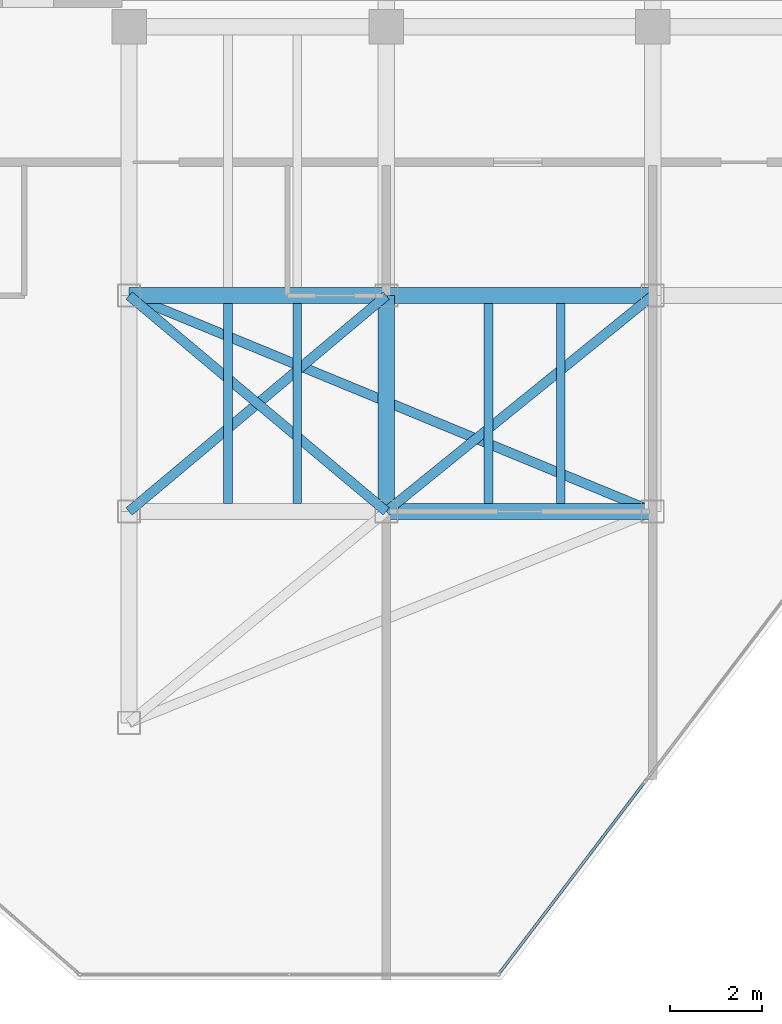
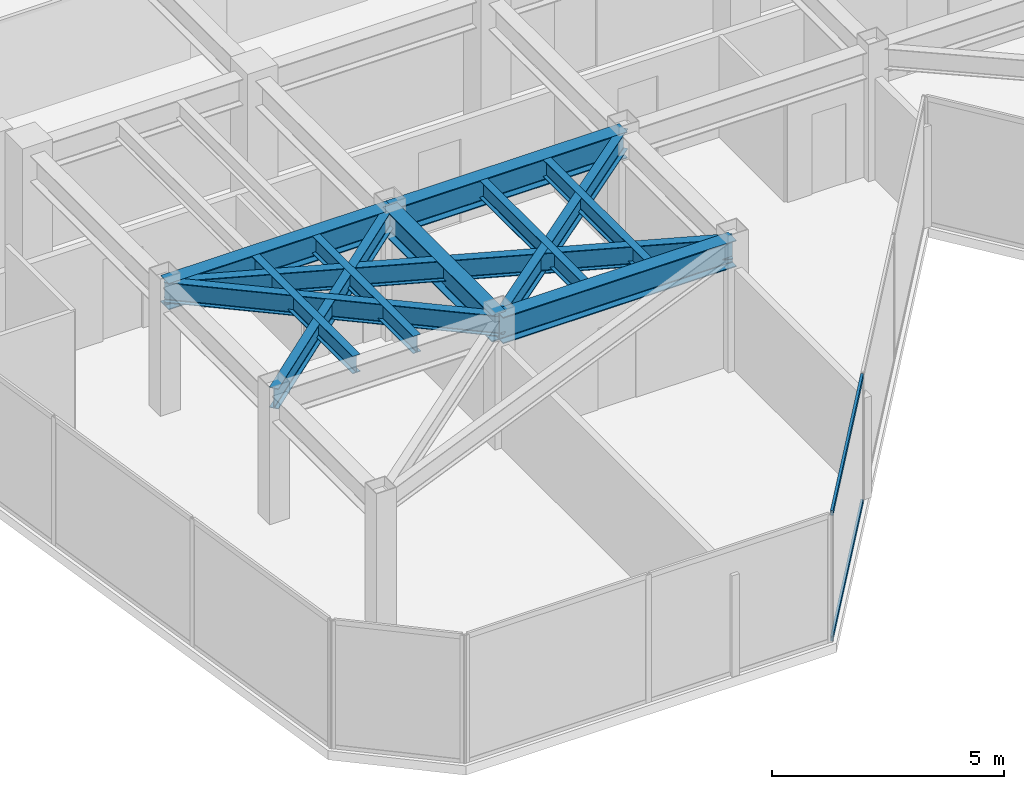
# One storey, part 6 of 20: 12 beams, 2 members, 1 element without a shape of its own.
"""IFC4 building model written with IfcOpenShell, lengths in metres."""

from ifc_helpers import new_model, si_unit, direction, frame, origin, origin_2d, place, context, subcontext, project, spatial, hollow_rectangle, i_section, extrude, material, layer, layer_set, material_profile, profile_set, type_object, element, aggregate, save


model = new_model("IFC4")

# Units and contexts
model_context = context("Model", 3, precision=1e-05, world=origin(), true_north=direction((0.0, 1.0)))
body_context = subcontext(model_context, "Body", "Model", "MODEL_VIEW")
ifc_project = project(units=[si_unit("LENGTHUNIT", "METRE"), si_unit("AREAUNIT", "SQUARE_METRE"), si_unit("VOLUMEUNIT", "CUBIC_METRE"), si_unit("PLANEANGLEUNIT", "RADIAN"), si_unit("MASSUNIT", "GRAM", prefix="KILO")], contexts=[model_context])

# Site, building, storey
site_placement = place(None, origin())
site = spatial("IfcSite", under=ifc_project, at=site_placement, CompositionType="ELEMENT")
building_placement = place(site_placement, origin())
building = spatial("IfcBuilding", under=site, at=building_placement, Name="Kravanh Interchange Tower", CompositionType="ELEMENT")
storey_placement = place(building_placement, frame((0.0, 0.0, 234.60009765625)))
storey = spatial("IfcBuildingStorey", under=building, at=storey_placement, Name="L56", CompositionType="ELEMENT", Elevation=234.60009765625)

# Curtain wall, members
ifc_material_1 = material(Name="Anodised Bronze Aluminium", Category="aluminium")
ifc_layer = layer(ifc_material_1, 0.179931640625)
ifc_layer_set = layer_set([ifc_layer], Name="Unitised Curtain Wall System CW-HTL Luxury Hotel")
curtain_wall_type = type_object("IfcCurtainWallType", Name="Unitised Curtain Wall System CW-HTL Luxury Hotel", PredefinedType="NOTDEFINED", material=ifc_layer_set)
curtain_wall_placement = place(storey_placement, origin())
curtain_wall = element("IfcCurtainWall", 1, at=curtain_wall_placement, inside=storey, type_object=curtain_wall_type, Name="L56 Unitised Curtain Wall CW-L56-05", PredefinedType="NOTDEFINED")
ifc_material_2 = material(Name="Anodised Bronze Aluminium", Category="aluminium")
ifc_material_profile_1 = material_profile(ifc_material_2, hollow_rectangle(XDim=0.06005859375, YDim=0.139892578125, WallThickness=0.00390625, at=origin_2d()), Name="ALU60X140X4")
ifc_profile_set_1 = profile_set([ifc_material_profile_1], Name="Anodised Bronze Aluminium")
member_type = type_object("IfcMemberType", Name="Curtain Wall Transom ALU60X140X4 Bronze", PredefinedType="USERDEFINED", material=ifc_profile_set_1)
member_1_placement = place(storey_placement, frame((38.408935546875, 20.888916015625, 0.02978515625), z_axis=(-0.605089246946, -0.796157649734, 0.0), x_axis=(0.796157649734, -0.605089246946, 0.0)))
member_1 = element("IfcMember", 2, at=member_1_placement, type_object=member_type, Name="CW-HTL transom 3.1", ObjectType="TRANSOM", PredefinedType="USERDEFINED", context=body_context, shape_type="SweptSolid", body=[
    extrude(hollow_rectangle(XDim=0.06005859375, YDim=0.139892578125, WallThickness=0.00390625, at=origin_2d()), origin(), (0.0, 0.0, 1.0), 5.17626953125),
])
member_2_placement = place(storey_placement, frame((38.408935546875, 20.888916015625, 3.329833984375), z_axis=(-0.605089246946, -0.796157649734, 0.0), x_axis=(0.796157649734, -0.605089246946, 0.0)))
member_2 = element("IfcMember", 3, at=member_2_placement, type_object=member_type, Name="CW-HTL transom 3.2", ObjectType="TRANSOM", PredefinedType="USERDEFINED", context=body_context, shape_type="SweptSolid", body=[
    extrude(hollow_rectangle(XDim=0.06005859375, YDim=0.139892578125, WallThickness=0.00390625, at=origin_2d()), origin(), (0.0, 0.0, 1.0), 5.17626953125),
])
aggregate(curtain_wall, [member_1, member_2])

# Beams
ifc_material_3 = material(Name="Structural Steel S355", Category="steel")
ifc_material_profile_2 = material_profile(ifc_material_3, i_section(OverallWidth=0.35498046875, OverallDepth=0.696044921875, WebThickness=0.015380859375, FlangeThickness=0.02490234375, FilletRadius=0.02392578125, at=origin_2d()), Name="W27X146")
ifc_profile_set_2 = profile_set([ifc_material_profile_2], Name="Structural Steel S355")
beam_type_1 = type_object("IfcBeamType", Name="Floor Beam W27X146 Structural Steel S355", PredefinedType="BEAM", material=ifc_profile_set_2)
beam_1_placement = place(storey_placement, frame((38.60009765625, 31.5, 3.011962890625), z_axis=(-1.0, 0.0, 0.0), x_axis=(0.0, -1.0, 0.0)))
element("IfcBeam", 4, at=beam_1_placement, inside=storey, type_object=beam_type_1, Name="L56 Primary Floor Girder 18", PredefinedType="BEAM", context=body_context, shape_type="SweptSolid", body=[
    extrude(i_section(OverallWidth=0.35498046875, OverallDepth=0.696044921875, WebThickness=0.015380859375, FlangeThickness=0.02490234375, FilletRadius=0.02392578125, at=origin_2d()), origin(), (0.0, 0.0, 1.0), 5.800048828125),
])
beam_2_placement = place(storey_placement, frame((32.800048828125, 31.5, 3.011962890625), z_axis=(0.0, -1.0, 0.0), x_axis=(1.0, 0.0, 0.0)))
element("IfcBeam", 5, at=beam_2_placement, inside=storey, type_object=beam_type_1, Name="L56 Primary Floor Girder 21", PredefinedType="BEAM", context=body_context, shape_type="SweptSolid", body=[
    extrude(i_section(OverallWidth=0.35498046875, OverallDepth=0.696044921875, WebThickness=0.015380859375, FlangeThickness=0.02490234375, FilletRadius=0.02392578125, at=origin_2d()), origin(), (0.0, 0.0, 1.0), 4.699951171875),
])
beam_3_placement = place(storey_placement, frame((32.800048828125, 31.5, 3.011962890625), z_axis=(-1.0, 0.0, 0.0), x_axis=(0.0, -1.0, 0.0)))
element("IfcBeam", 6, at=beam_3_placement, inside=storey, type_object=beam_type_1, Name="L56 Primary Floor Girder 22", PredefinedType="BEAM", context=body_context, shape_type="SweptSolid", body=[
    extrude(i_section(OverallWidth=0.35498046875, OverallDepth=0.696044921875, WebThickness=0.015380859375, FlangeThickness=0.02490234375, FilletRadius=0.02392578125, at=origin_2d()), origin(), (0.0, 0.0, 1.0), 5.60009765625),
])
beam_4_placement = place(storey_placement, frame((38.60009765625, 26.800048828125, 3.011962890625), z_axis=(-1.0, 0.0, 0.0), x_axis=(0.0, -1.0, 0.0)))
element("IfcBeam", 7, at=beam_4_placement, inside=storey, type_object=beam_type_1, Name="L56 Primary Floor Girder 29", PredefinedType="BEAM", context=body_context, shape_type="SweptSolid", body=[
    extrude(i_section(OverallWidth=0.35498046875, OverallDepth=0.696044921875, WebThickness=0.015380859375, FlangeThickness=0.02490234375, FilletRadius=0.02392578125, at=origin_2d()), origin(), (0.0, 0.0, 1.0), 5.800048828125),
])
ifc_material_4 = material(Name="Structural Steel S355", Category="steel")
ifc_material_profile_3 = material_profile(ifc_material_4, i_section(OverallWidth=0.18994140625, OverallDepth=0.45703125, WebThickness=0.009033203125, FlangeThickness=0.014404296875, FilletRadius=0.01806640625, at=origin_2d()), Name="W18X50")
ifc_profile_set_3 = profile_set([ifc_material_profile_3], Name="Structural Steel S355")
beam_type_2 = type_object("IfcBeamType", Name="Floor Joist W18X50 Structural Steel S355", PredefinedType="JOIST", material=ifc_profile_set_3)
for number, where, z_axis, x_axis, name in (
    (8, (29.35498046875, 26.972412109375, 3.13134765625), (0.0, 1.0, 0.0), (-1.0, 0.0, 0.0), "L56 Secondary Floor Joist 3"),
    (9, (30.860107421875, 26.972412109375, 3.13134765625), (0.0, 1.0, 0.0), (-1.0, 0.0, 0.0), "L56 Secondary Floor Joist 4"),
    (10, (35.02490234375, 26.972412109375, 3.13134765625), (0.0, 1.0, 0.0), (-1.0, 0.0, 0.0), "L56 Secondary Floor Joist 5"),
    (11, (36.60009765625, 26.972412109375, 3.13134765625), (0.0, 1.0, 0.0), (-1.0, 0.0, 0.0), "L56 Secondary Floor Joist 6"),
):
    element("IfcBeam", number, at=place(storey_placement, frame(where, z_axis=z_axis, x_axis=x_axis)), inside=storey, type_object=beam_type_2, Name=name, PredefinedType="JOIST", context=body_context, shape_type="SweptSolid", body=[
        extrude(i_section(OverallWidth=0.18994140625, OverallDepth=0.45703125, WebThickness=0.009033203125, FlangeThickness=0.014404296875, FilletRadius=0.01806640625, at=origin_2d()), origin(), (0.0, 0.0, 1.0), 4.35498046875),
    ])
ifc_material_5 = material(Name="Structural Steel S355", Category="steel")
ifc_material_profile_4 = material_profile(ifc_material_5, i_section(OverallWidth=0.2099609375, OverallDepth=0.537109375, WebThickness=0.010986328125, FlangeThickness=0.017333984375, FilletRadius=0.02001953125, at=origin_2d()), Name="W21X68")
ifc_profile_set_4 = profile_set([ifc_material_profile_4], Name="Structural Steel S355")
beam_type_3 = type_object("IfcBeamType", Name="Floor Spandrel W21X68 Structural Steel S355", PredefinedType="SPANDREL", material=ifc_profile_set_4)
beam_5_placement = place(storey_placement, frame((38.60009765625, 31.5, 3.09130859375), z_axis=(-0.776938619557, -0.629576350764, 0.0), x_axis=(0.629576350764, -0.776938619557, 0.0)))
element("IfcBeam", 12, at=beam_5_placement, inside=storey, type_object=beam_type_3, Name="L56 Perimeter Spandrel 20", PredefinedType="SPANDREL", context=body_context, shape_type="SweptSolid", body=[
    extrude(i_section(OverallWidth=0.2099609375, OverallDepth=0.537109375, WebThickness=0.010986328125, FlangeThickness=0.017333984375, FilletRadius=0.02001953125, at=origin_2d()), origin(), (0.0, 0.0, 1.0), 7.46533203125),
])
for number, where, z_axis, x_axis, name in (
    (13, (32.800048828125, 31.5, 3.09130859375), (-0.765983062929, -0.642860752657, 0.0), (0.642860752657, -0.765983062929, 0.0), "L56 Perimeter Spandrel 24"),
    (14, (27.199951171875, 31.5, 3.09130859375), (0.765983062929, -0.642860752657, 0.0), (0.642860752657, 0.765983062929, 0.0), "L56 Perimeter Spandrel 27"),
):
    element("IfcBeam", number, at=place(storey_placement, frame(where, z_axis=z_axis, x_axis=x_axis)), inside=storey, type_object=beam_type_3, Name=name, PredefinedType="SPANDREL", context=body_context, shape_type="SweptSolid", body=[
        extrude(i_section(OverallWidth=0.2099609375, OverallDepth=0.537109375, WebThickness=0.010986328125, FlangeThickness=0.017333984375, FilletRadius=0.02001953125, at=origin_2d()), origin(), (0.0, 0.0, 1.0), 7.31103515625),
    ])
beam_6_placement = place(storey_placement, frame((27.199951171875, 31.5, 3.09130859375), z_axis=(0.924513176562, -0.381150083778, 0.0), x_axis=(0.381150083778, 0.924513176562, 0.0)))
element("IfcBeam", 15, at=beam_6_placement, inside=storey, type_object=beam_type_3, Name="L56 Perimeter Spandrel 28", PredefinedType="SPANDREL", context=body_context, shape_type="SweptSolid", body=[
    extrude(i_section(OverallWidth=0.2099609375, OverallDepth=0.537109375, WebThickness=0.010986328125, FlangeThickness=0.017333984375, FilletRadius=0.02001953125, at=origin_2d()), origin(), (0.0, 0.0, 1.0), 12.3310546875),
])

save(model, "model.ifc")
